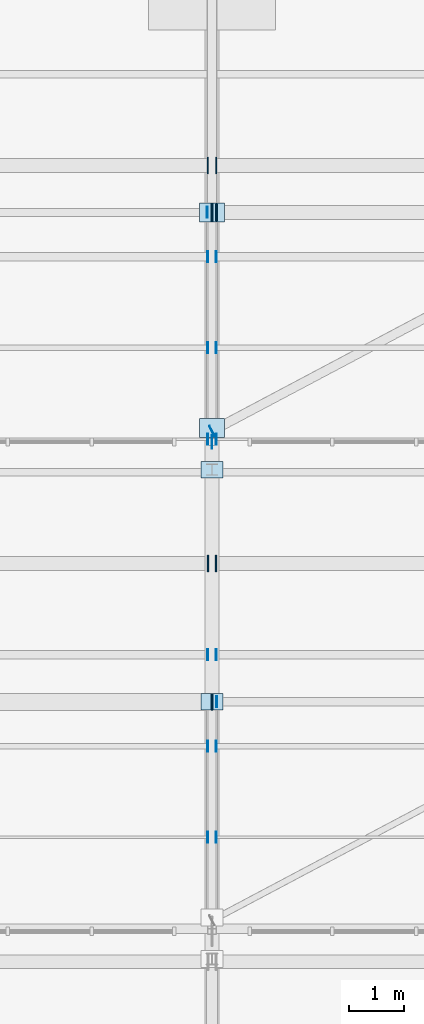
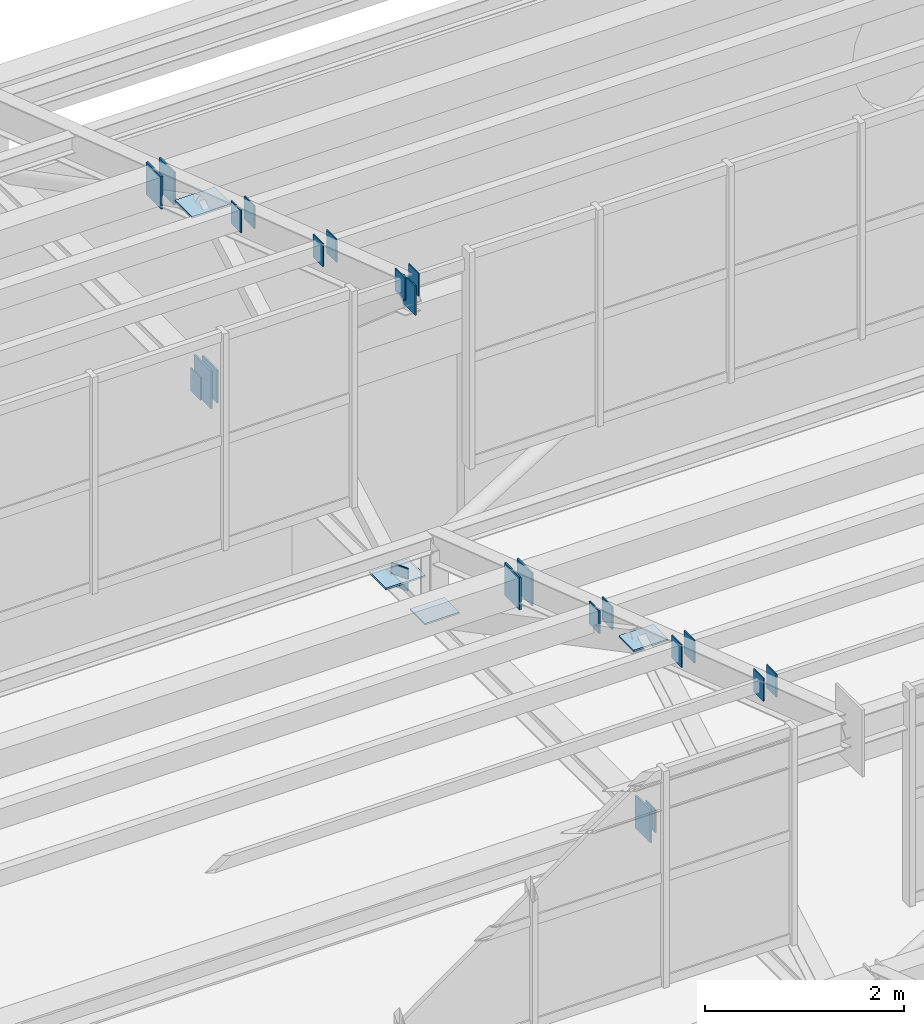
# One storey, part 239 of 285: 27 plates.
"""IFC4 building model written with IfcOpenShell, lengths in metres."""

from ifc_helpers import new_model, si_unit, direction, frame, origin, origin_2d, place, context, subcontext, project, spatial, rectangle, extrude, material, layer, layer_set, type_object, element, save


model = new_model("IFC4")

# Units and contexts
model_context = context("Model", 3, precision=1e-05, world=origin(), true_north=direction((0.0, 1.0)))
body_context = subcontext(model_context, "Body", "Model", "MODEL_VIEW")
ifc_project = project(units=[si_unit("LENGTHUNIT", "METRE"), si_unit("AREAUNIT", "SQUARE_METRE"), si_unit("VOLUMEUNIT", "CUBIC_METRE"), si_unit("PLANEANGLEUNIT", "RADIAN"), si_unit("MASSUNIT", "GRAM", prefix="KILO")], contexts=[model_context])

# Site, building, storey
site_placement = place(None, origin())
site = spatial("IfcSite", under=ifc_project, at=site_placement, CompositionType="ELEMENT")
building_placement = place(site_placement, origin())
building = spatial("IfcBuilding", under=site, at=building_placement, Name="Solanera Park Tramway Depot", CompositionType="ELEMENT")
storey_placement = place(building_placement, origin())
storey = spatial("IfcBuildingStorey", under=building, at=storey_placement, Name="L00", CompositionType="ELEMENT", Elevation=0.0)

# Plates
ifc_material_1 = material(Name="Steel AS/NZS 3679.1 Grade 350", Category="steel")
ifc_layer_1 = layer(ifc_material_1, 0.013916015625)
ifc_layer_set_1 = layer_set([ifc_layer_1], Name="Steel AS/NZS 3679.1 Grade 350")
plate_type_1 = type_object("IfcPlateType", Name="Hollow End Cap and Base Plate 280x200x14", PredefinedType="USERDEFINED", material=ifc_layer_set_1)
for number, where, z_axis, x_axis, name in (
    (1, (44.92529296875, 128.25, 9.5146484375), (0.0, 0.0, 1.0), (1.0, 0.0, 0.0), "Hollow Section Welded End Cap Plate #0947"),
    (2, (45.07470703125, 128.25, 9.5146484375), (0.0, 0.0, 1.0), (1.0, 0.0, 0.0), "Hollow Section Welded End Cap Plate #0948"),
    (3, (44.92529296875, 129.89990234375, 8.92919921875), (0.0, 0.0, 1.0), (1.0, 0.0, 0.0), "Hollow Section Welded End Cap Plate #0959"),
    (4, (45.07470703125, 129.89990234375, 8.92919921875), (0.0, 0.0, 1.0), (1.0, 0.0, 0.0), "Hollow Section Welded End Cap Plate #0960"),
    (5, (44.92529296875, 131.550048828125, 8.34375), (0.0, 0.0, 1.0), (1.0, 0.0, 0.0), "Hollow Section Welded End Cap Plate #0971"),
    (6, (45.07470703125, 131.550048828125, 8.34375), (0.0, 0.0, 1.0), (1.0, 0.0, 0.0), "Hollow Section Welded End Cap Plate #0972"),
    (7, (45.0849609375, 130.699951171875, 6.35986328125), (0.0, 0.0, 1.0), (1.0, 0.0, 0.0), "Hollow Section Welded End Cap Plate #0994"),
    (8, (44.922119140625, 135.449951171875, 10.06689453125), (0.0, 0.0, 1.0), (1.0, 0.0, 0.0), "Hollow Section Welded End Cap Plate #1045"),
    (9, (45.077880859375, 135.449951171875, 10.06689453125), (0.0, 0.0, 1.0), (1.0, 0.0, 0.0), "Hollow Section Welded End Cap Plate #1046"),
    (10, (44.922119140625, 137.10009765625, 9.4814453125), (0.0, 0.0, 1.0), (1.0, 0.0, 0.0), "Hollow Section Welded End Cap Plate #1057"),
    (11, (45.077880859375, 137.10009765625, 9.4814453125), (0.0, 0.0, 1.0), (1.0, 0.0, 0.0), "Hollow Section Welded End Cap Plate #1058"),
    (12, (44.922119140625, 138.75, 8.89599609375), (0.0, 0.0, 1.0), (1.0, 0.0, 0.0), "Hollow Section Welded End Cap Plate #1069"),
    (13, (45.077880859375, 138.75, 8.89599609375), (0.0, 0.0, 1.0), (1.0, 0.0, 0.0), "Hollow Section Welded End Cap Plate #1070"),
    (14, (44.9150390625, 139.550048828125, 6.35986328125), (0.0, 0.0, 1.0), (1.0, 0.0, 0.0), "Hollow Section Welded End Cap Plate #1093"),
    (15, (44.999267578125, 135.5986328125, 6.35986328125), (0.0, 0.0, 1.0), (0.883520501477, 0.468392488698, 0.0), "Hollow Section Welded End Cap Plate #1096"),
):
    element("IfcPlate", number, at=place(storey_placement, frame(where, z_axis=z_axis, x_axis=x_axis)), inside=storey, type_object=plate_type_1, Name=name, ObjectType="BASE PLATE", PredefinedType="USERDEFINED", context=body_context, shape_type="SweptSolid", body=[
        extrude(rectangle(XDim=0.013916015625, YDim=0.199951171875, at=origin_2d()), origin(), (0.0, 0.0, 1.0), 0.280029296875),
    ])
ifc_material_2 = material(Name="Steel AS/NZS 3679.1 Grade 350", Category="steel")
ifc_layer_2 = layer(ifc_material_2, 0.02001953125)
ifc_layer_set_2 = layer_set([ifc_layer_2], Name="Steel AS/NZS 3679.1 Grade 350")
plate_type_2 = type_object("IfcPlateType", Name="Hollow End Cap and Base Plate 400x300x20", PredefinedType="USERDEFINED", material=ifc_layer_set_2)
plate_1_placement = place(storey_placement, frame((45.0, 130.699951171875, 6.300048828125), z_axis=(0.0, 0.0, 1.0), x_axis=(1.0, 0.0, 0.0)))
element("IfcPlate", 16, at=plate_1_placement, inside=storey, type_object=plate_type_2, Name="Sawtooth Truss Hollow End Cap #0915", ObjectType="BASE PLATE", PredefinedType="USERDEFINED", context=body_context, shape_type="SweptSolid", body=[
    extrude(rectangle(XDim=0.02001953125, YDim=0.300048828125, at=origin_2d()), origin(), (0.0, 0.0, 1.0), 0.39990234375),
])
for number, where, z_axis, x_axis, name in (
    (17, (45.0, 134.89990234375, 6.489990234375), (0.0, 0.0, 1.0), (1.0, 0.0, 0.0), "Sawtooth Truss Node Cap Plate #0916"),
    (18, (45.0, 130.699951171875, 8.70849609375), (0.0, 0.0, 1.0), (1.0, 0.0, 0.0), "Sawtooth Truss Node Cap Plate #0917"),
):
    element("IfcPlate", number, at=place(storey_placement, frame(where, z_axis=z_axis, x_axis=x_axis)), inside=storey, type_object=plate_type_2, Name=name, ObjectType="BASE PLATE", PredefinedType="USERDEFINED", context=body_context, shape_type="SweptSolid", body=[
        extrude(rectangle(XDim=0.39990234375, YDim=0.300048828125, at=origin_2d()), origin(), (0.0, 0.0, 1.0), 0.02001953125),
    ])
for number, where, z_axis, x_axis, name in (
    (19, (44.92822265625, 133.199951171875, 7.6650390625), (0.0, 0.0, 1.0), (1.0, 0.0, 0.0), "Hollow Section Welded End Cap Plate #0983"),
    (20, (45.07177734375, 133.199951171875, 7.6650390625), (0.0, 0.0, 1.0), (1.0, 0.0, 0.0), "Hollow Section Welded End Cap Plate #0984"),
    (21, (44.925048828125, 140.39990234375, 8.217041015625), (0.0, 0.0, 1.0), (1.0, 0.0, 0.0), "Hollow Section Welded End Cap Plate #1081"),
    (22, (45.074951171875, 140.39990234375, 8.217041015625), (0.0, 0.0, 1.0), (1.0, 0.0, 0.0), "Hollow Section Welded End Cap Plate #1082"),
    (23, (45.08203125, 139.550048828125, 6.300048828125), (0.0, 0.0, 1.0), (1.0, 0.0, 0.0), "Hollow Section Welded End Cap Plate #1094"),
):
    element("IfcPlate", number, at=place(storey_placement, frame(where, z_axis=z_axis, x_axis=x_axis)), inside=storey, type_object=plate_type_2, Name=name, ObjectType="BASE PLATE", PredefinedType="USERDEFINED", context=body_context, shape_type="SweptSolid", body=[
        extrude(rectangle(XDim=0.02001953125, YDim=0.300048828125, at=origin_2d()), origin(), (0.0, 0.0, 1.0), 0.39990234375),
    ])
ifc_material_3 = material(Name="Steel AS/NZS 3679.1 Grade 350", Category="steel")
ifc_layer_3 = layer(ifc_material_3, 0.02197265625)
ifc_layer_set_3 = layer_set([ifc_layer_3], Name="Steel AS/NZS 3679.1 Grade 350")
plate_type_3 = type_object("IfcPlateType", Name="Hollow End Cap and Base Plate 460x340x22", PredefinedType="USERDEFINED", material=ifc_layer_set_3)
plate_2_placement = place(storey_placement, frame((45.0, 139.550048828125, 6.27001953125), z_axis=(0.0, 0.0, 1.0), x_axis=(1.0, 0.0, 0.0)))
element("IfcPlate", 24, at=plate_2_placement, inside=storey, type_object=plate_type_3, Name="Sawtooth Truss Hollow End Cap #1013", ObjectType="BASE PLATE", PredefinedType="USERDEFINED", context=body_context, shape_type="SweptSolid", body=[
    extrude(rectangle(XDim=0.02197265625, YDim=0.340087890625, at=origin_2d()), origin(), (0.0, 0.0, 1.0), 0.4599609375),
])
for number, where, z_axis, x_axis, name in (
    (25, (45.0, 139.550048828125, 8.68212890625), (0.0, 0.0, 1.0), (1.0, 0.0, 0.0), "Sawtooth Truss Node Cap Plate #1015"),
    (26, (45.0, 135.64990234375, 6.489013671875), (0.0, 0.0, 1.0), (1.0, 0.0, 0.0), "Sawtooth Truss Node Cap Plate #1016"),
):
    element("IfcPlate", number, at=place(storey_placement, frame(where, z_axis=z_axis, x_axis=x_axis)), inside=storey, type_object=plate_type_3, Name=name, ObjectType="BASE PLATE", PredefinedType="USERDEFINED", context=body_context, shape_type="SweptSolid", body=[
        extrude(rectangle(XDim=0.4599609375, YDim=0.340087890625, at=origin_2d()), origin(), (0.0, 0.0, 1.0), 0.02197265625),
    ])
ifc_material_4 = material(Name="Steel AS/NZS 3679.1 Grade 350", Category="steel")
ifc_layer_4 = layer(ifc_material_4, 0.013916015625)
ifc_layer_set_4 = layer_set([ifc_layer_4], Name="Steel AS/NZS 3679.1 Grade 350")
plate_type_4 = type_object("IfcPlateType", Name="Truss Node Gusset Stiffener 360x240x14", PredefinedType="SHEET", material=ifc_layer_set_4)
plate_3_placement = place(storey_placement, frame((45.0, 135.39990234375, 9.9013671875), z_axis=(0.0, 0.0, 1.0), x_axis=(1.0, 0.0, 0.0)))
element("IfcPlate", 27, at=plate_3_placement, inside=storey, type_object=plate_type_4, Name="Sawtooth Truss Apex Gusset Plate #1012", PredefinedType="SHEET", context=body_context, shape_type="SweptSolid", body=[
    extrude(rectangle(XDim=0.013916015625, YDim=0.239990234375, at=origin_2d()), origin(), (0.0, 0.0, 1.0), 0.360107421875),
])

save(model, "model.ifc")
